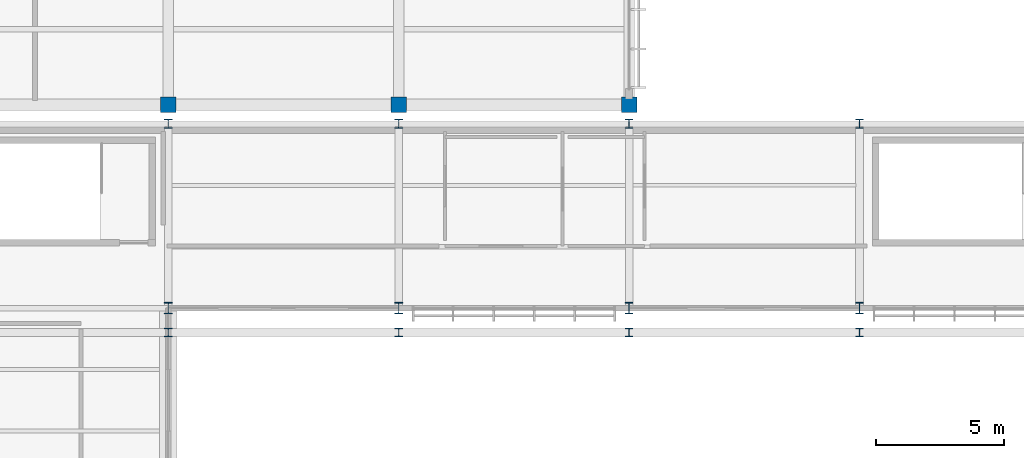
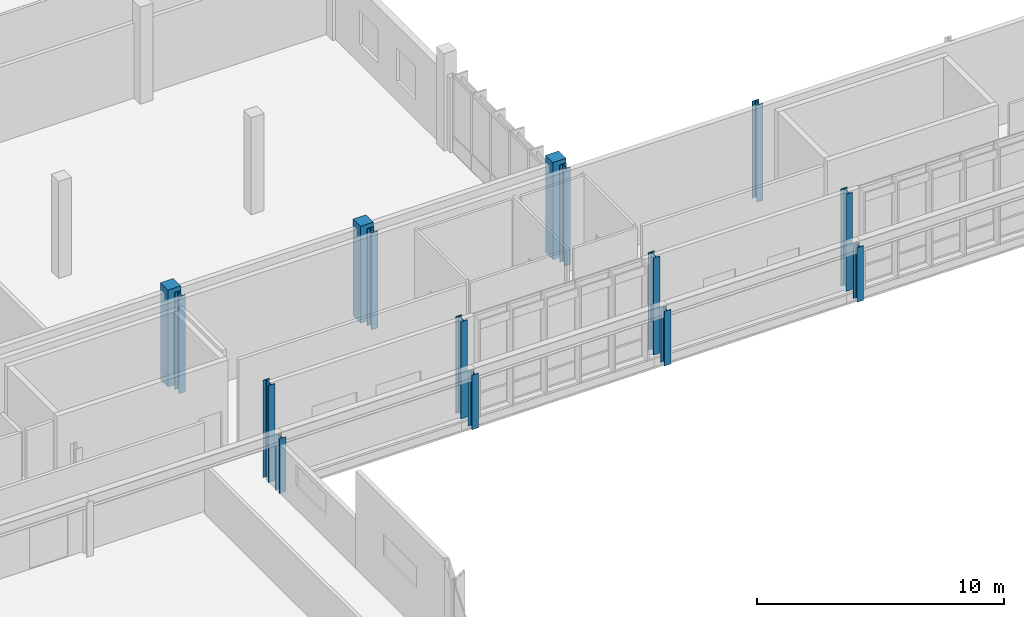
# One storey, part 8 of 177: 15 columns.
"""IFC4 building model written with IfcOpenShell, lengths in metres."""

from ifc_helpers import new_model, si_unit, direction, frame, origin, origin_2d, place, context, subcontext, project, spatial, rectangle, i_section, extrude, material, material_profile, profile_set, type_object, element, save


model = new_model("IFC4")

# Units and contexts
model_context = context("Model", 3, precision=1e-05, world=origin(), true_north=direction((0.0, 1.0)))
body_context = subcontext(model_context, "Body", "Model", "MODEL_VIEW")
ifc_project = project(units=[si_unit("LENGTHUNIT", "METRE"), si_unit("AREAUNIT", "SQUARE_METRE"), si_unit("VOLUMEUNIT", "CUBIC_METRE"), si_unit("PLANEANGLEUNIT", "RADIAN"), si_unit("MASSUNIT", "GRAM", prefix="KILO")], contexts=[model_context])

# Site, building, storey
site_placement = place(None, origin())
site = spatial("IfcSite", under=ifc_project, at=site_placement, CompositionType="ELEMENT")
building_placement = place(site_placement, origin())
building = spatial("IfcBuilding", under=site, at=building_placement, Name="Chiffa Square Polytechnic", CompositionType="ELEMENT")
storey_placement = place(building_placement, frame((0.0, 0.0, 4.800048828125)))
storey = spatial("IfcBuildingStorey", under=building, at=storey_placement, Name="L01", CompositionType="ELEMENT", Elevation=4.800048828125)

# Columns
ifc_material_1 = material(Name="Concrete C40/50", Category="concrete")
ifc_material_profile_1 = material_profile(ifc_material_1, rectangle(XDim=0.60009765625, YDim=0.60009765625, at=origin_2d()), Name="RC 600x600")
ifc_profile_set_1 = profile_set([ifc_material_profile_1], Name="Concrete C40/50")
column_type_1 = type_object("IfcColumnType", Name="COL-RC-600", PredefinedType="COLUMN", material=ifc_profile_set_1)
for number, where, z_axis, x_axis, name in (
    (1, (130.199951171875, 94.949951171875, 0.0), (0.0, 0.0, 1.0), (1.0, 0.0, 0.0), "Column C-V5-L01-1302-0950"),
    (2, (139.199951171875, 94.949951171875, 0.0), (0.0, 0.0, 1.0), (1.0, 0.0, 0.0), "Column C-V5-L01-1392-0950"),
    (3, (148.199951171875, 94.949951171875, 0.0), (0.0, 0.0, 1.0), (1.0, 0.0, 0.0), "Column C-V5-L01-1482-0950"),
):
    element("IfcColumn", number, at=place(storey_placement, frame(where, z_axis=z_axis, x_axis=x_axis)), inside=storey, type_object=column_type_1, Name=name, PredefinedType="COLUMN", context=body_context, shape_type="SweptSolid", body=[
        extrude(rectangle(XDim=0.60009765625, YDim=0.60009765625, at=origin_2d()), origin(), (0.0, 0.0, 1.0), 4.800048828125),
    ])
ifc_material_2 = material(Name="Steel S355", Category="steel")
ifc_material_profile_2 = material_profile(ifc_material_2, i_section(OverallWidth=0.300048828125, OverallDepth=0.320068359375, WebThickness=0.011474609375, FlangeThickness=0.0205078125, FilletRadius=0.027099609375, at=origin_2d()), Name="HEB 320")
ifc_profile_set_2 = profile_set([ifc_material_profile_2], Name="Steel S355")
column_type_2 = type_object("IfcColumnType", Name="COL-STL-HEB320", PredefinedType="COLUMN", material=ifc_profile_set_2)
for number, where, z_axis, x_axis, name in (
    (4, (130.199951171875, 86.050048828125, 0.0), (0.0, 0.0, 1.0), (1.0, 0.0, 0.0), "Crane stanchion upper post C-V2-CRN-L01-130-N"),
    (5, (139.199951171875, 86.050048828125, 0.0), (0.0, 0.0, 1.0), (1.0, 0.0, 0.0), "Crane stanchion upper post C-V2-CRN-L01-139-N"),
    (6, (148.199951171875, 86.050048828125, 0.0), (0.0, 0.0, 1.0), (1.0, 0.0, 0.0), "Crane stanchion upper post C-V2-CRN-L01-148-N"),
    (7, (157.199951171875, 86.050048828125, 0.0), (0.0, 0.0, 1.0), (1.0, 0.0, 0.0), "Crane stanchion upper post C-V2-CRN-L01-157-N"),
):
    element("IfcColumn", number, at=place(storey_placement, frame(where, z_axis=z_axis, x_axis=x_axis)), inside=storey, type_object=column_type_2, Name=name, PredefinedType="COLUMN", context=body_context, shape_type="SweptSolid", body=[
        extrude(i_section(OverallWidth=0.300048828125, OverallDepth=0.320068359375, WebThickness=0.011474609375, FlangeThickness=0.0205078125, FilletRadius=0.027099609375, at=origin_2d()), origin(), (0.0, 0.0, 1.0), 2.699951171875),
    ])
ifc_material_profile_3 = material_profile(ifc_material_2, i_section(OverallWidth=0.300048828125, OverallDepth=0.360107421875, WebThickness=0.012451171875, FlangeThickness=0.0224609375, FilletRadius=0.027099609375, at=origin_2d()), Name="HEB 360")
ifc_profile_set_3 = profile_set([ifc_material_profile_3], Name="Steel S355")
column_type_3 = type_object("IfcColumnType", Name="COL-STL-HEB360", PredefinedType="COLUMN", material=ifc_profile_set_3)
for number, where, z_axis, x_axis, name in (
    (8, (130.199951171875, 94.199951171875, 0.0), (0.0, 0.0, 1.0), (1.0, 0.0, 0.0), "Column C-V2-L01-1302-0942"),
    (9, (139.199951171875, 94.199951171875, 0.0), (0.0, 0.0, 1.0), (1.0, 0.0, 0.0), "Column C-V2-L01-1392-0942"),
    (10, (148.199951171875, 94.199951171875, 0.0), (0.0, 0.0, 1.0), (1.0, 0.0, 0.0), "Column C-V2-L01-1482-0942"),
    (11, (157.199951171875, 94.199951171875, 0.0), (0.0, 0.0, 1.0), (1.0, 0.0, 0.0), "Column C-V2-L01-1572-0942"),
):
    element("IfcColumn", number, at=place(storey_placement, frame(where, z_axis=z_axis, x_axis=x_axis)), inside=storey, type_object=column_type_3, Name=name, PredefinedType="COLUMN", context=body_context, shape_type="SweptSolid", body=[
        extrude(i_section(OverallWidth=0.300048828125, OverallDepth=0.360107421875, WebThickness=0.012451171875, FlangeThickness=0.0224609375, FilletRadius=0.027099609375, at=origin_2d()), origin(), (0.0, 0.0, 1.0), 4.800048828125),
    ])
ifc_material_profile_4 = material_profile(ifc_material_2, i_section(OverallWidth=0.300048828125, OverallDepth=0.449951171875, WebThickness=0.013916015625, FlangeThickness=0.02587890625, FilletRadius=0.027099609375, at=origin_2d()), Name="HEB 450")
ifc_profile_set_4 = profile_set([ifc_material_profile_4], Name="Steel S355")
column_type_4 = type_object("IfcColumnType", Name="COL-STL-HEB450", PredefinedType="COLUMN", material=ifc_profile_set_4)
for number, where, z_axis, x_axis, name in (
    (12, (130.199951171875, 87.0, 0.0), (0.0, 0.0, 1.0), (1.0, 0.0, 0.0), "Column C-V2-L01-1302-0870"),
    (13, (139.199951171875, 87.0, 0.0), (0.0, 0.0, 1.0), (1.0, 0.0, 0.0), "Column C-V2-L01-1392-0870"),
    (14, (148.199951171875, 87.0, 0.0), (0.0, 0.0, 1.0), (1.0, 0.0, 0.0), "Column C-V2-L01-1482-0870"),
    (15, (157.199951171875, 87.0, 0.0), (0.0, 0.0, 1.0), (1.0, 0.0, 0.0), "Column C-V2-L01-1572-0870"),
):
    element("IfcColumn", number, at=place(storey_placement, frame(where, z_axis=z_axis, x_axis=x_axis)), inside=storey, type_object=column_type_4, Name=name, PredefinedType="COLUMN", context=body_context, shape_type="SweptSolid", body=[
        extrude(i_section(OverallWidth=0.300048828125, OverallDepth=0.449951171875, WebThickness=0.013916015625, FlangeThickness=0.02587890625, FilletRadius=0.027099609375, at=origin_2d()), origin(), (0.0, 0.0, 1.0), 4.800048828125),
    ])

save(model, "model.ifc")
